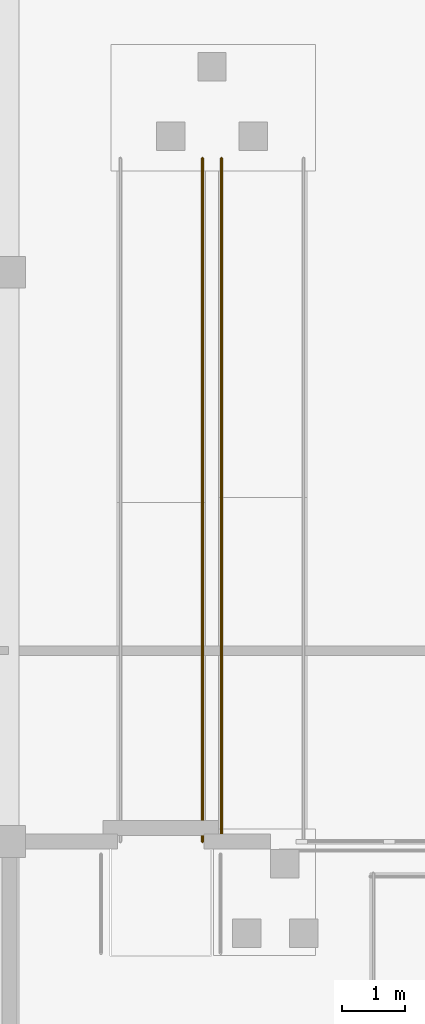
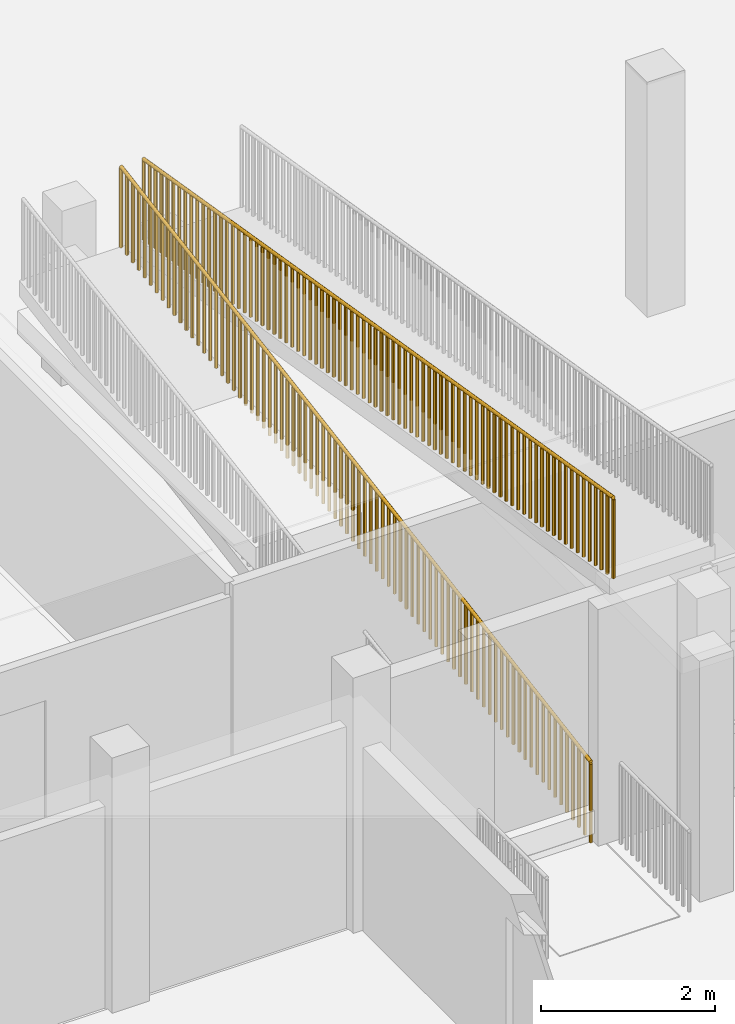
# One storey, part 89 of 104: 2 railings.
"""IFC4 building model written with IfcOpenShell, lengths in metres."""

from ifc_helpers import new_model, si_unit, direction, frame, origin, origin_2d, place, context, subcontext, project, spatial, circle, extrude, material, type_object, element, save


model = new_model("IFC4")

# Units and contexts
model_context = context("Model", 3, precision=1e-05, world=origin(), true_north=direction((0.0, 1.0)))
body_context = subcontext(model_context, "Body", "Model", "MODEL_VIEW")
ifc_project = project(units=[si_unit("LENGTHUNIT", "METRE"), si_unit("AREAUNIT", "SQUARE_METRE"), si_unit("VOLUMEUNIT", "CUBIC_METRE"), si_unit("PLANEANGLEUNIT", "RADIAN"), si_unit("MASSUNIT", "GRAM", prefix="KILO")], contexts=[model_context])

# Site, building, storey
site_placement = place(None, origin())
site = spatial("IfcSite", under=ifc_project, at=site_placement, CompositionType="ELEMENT")
building_placement = place(site_placement, origin())
building = spatial("IfcBuilding", under=site, at=building_placement, Name="Vanh Quang Courtyard School", CompositionType="ELEMENT")
storey_placement = place(building_placement, frame((0.0, 0.0, 4.199951171875)))
storey = spatial("IfcBuildingStorey", under=building, at=storey_placement, Name="L01", CompositionType="ELEMENT", Elevation=4.199951171875)

# Railings
ifc_material = material(Name="Galvanised painted steel EN 10025-2 S355J2", Category="steel")
railing_type = type_object("IfcRailingType", Name="RAIL-GUARD-1150", PredefinedType="BALUSTRADE", material=ifc_material)
railing_1_placement = place(storey_placement, frame((122.449951171875, 41.39990234375, 0.0)))
element("IfcRailing", 1, at=railing_1_placement, inside=storey, type_object=railing_type, Name="Railing GR-01 (L01)", PredefinedType="BALUSTRADE", context=body_context, shape_type="SweptSolid", body=[
    extrude(circle(Radius=0.02392578125, at=origin_2d()), frame((0.0, 0.0, 1.1259765625), z_axis=(0.0, 0.986393321179, 0.164402603184), x_axis=(-1.0, 0.0, 0.0)), (0.0, 0.0, 1.0), 10.948974609375),
    extrude(circle(Radius=0.02099609375, at=origin_2d()), origin(), (0.0, 0.0, 1.0), 1.101806640625),
    extrude(circle(Radius=0.02099609375, at=origin_2d()), frame((0.0, 0.13671875, 0.022705078125)), (0.0, 0.0, 1.0), 1.101806640625),
    extrude(circle(Radius=0.02099609375, at=origin_2d()), frame((0.0, 0.2734375, 0.045654296875)), (0.0, 0.0, 1.0), 1.101806640625),
    extrude(circle(Radius=0.02099609375, at=origin_2d()), frame((0.0, 0.41015625, 0.068359375)), (0.0, 0.0, 1.0), 1.101806640625),
    extrude(circle(Radius=0.02099609375, at=origin_2d()), frame((0.0, 0.546875, 0.091064453125)), (0.0, 0.0, 1.0), 1.101806640625),
    extrude(circle(Radius=0.02099609375, at=origin_2d()), frame((0.0, 0.68359375, 0.114013671875)), (0.0, 0.0, 1.0), 1.101806640625),
    extrude(circle(Radius=0.02099609375, at=origin_2d()), frame((0.0, 0.8203125, 0.13671875)), (0.0, 0.0, 1.0), 1.101806640625),
    extrude(circle(Radius=0.02099609375, at=origin_2d()), frame((0.0, 0.95703125, 0.159423828125)), (0.0, 0.0, 1.0), 1.101806640625),
    extrude(circle(Radius=0.02099609375, at=origin_2d()), frame((0.0, 1.09375, 0.182373046875)), (0.0, 0.0, 1.0), 1.101806640625),
    extrude(circle(Radius=0.02099609375, at=origin_2d()), frame((0.0, 1.23046875, 0.205078125)), (0.0, 0.0, 1.0), 1.101806640625),
    extrude(circle(Radius=0.02099609375, at=origin_2d()), frame((0.0, 1.3671875, 0.227783203125)), (0.0, 0.0, 1.0), 1.101806640625),
    extrude(circle(Radius=0.02099609375, at=origin_2d()), frame((0.0, 1.50390625, 0.250732421875)), (0.0, 0.0, 1.0), 1.101806640625),
    extrude(circle(Radius=0.02099609375, at=origin_2d()), frame((0.0, 1.640625, 0.2734375)), (0.0, 0.0, 1.0), 1.101806640625),
    extrude(circle(Radius=0.02099609375, at=origin_2d()), frame((0.0, 1.77734375, 0.296142578125)), (0.0, 0.0, 1.0), 1.101806640625),
    extrude(circle(Radius=0.02099609375, at=origin_2d()), frame((0.0, 1.913818359375, 0.319091796875)), (0.0, 0.0, 1.0), 1.101806640625),
    extrude(circle(Radius=0.02099609375, at=origin_2d()), frame((0.0, 2.050537109375, 0.341796875)), (0.0, 0.0, 1.0), 1.101806640625),
    extrude(circle(Radius=0.02099609375, at=origin_2d()), frame((0.0, 2.187255859375, 0.364501953125)), (0.0, 0.0, 1.0), 1.101806640625),
    extrude(circle(Radius=0.02099609375, at=origin_2d()), frame((0.0, 2.323974609375, 0.387451171875)), (0.0, 0.0, 1.0), 1.101806640625),
    extrude(circle(Radius=0.02099609375, at=origin_2d()), frame((0.0, 2.460693359375, 0.41015625)), (0.0, 0.0, 1.0), 1.101806640625),
    extrude(circle(Radius=0.02099609375, at=origin_2d()), frame((0.0, 2.597412109375, 0.432861328125)), (0.0, 0.0, 1.0), 1.101806640625),
    extrude(circle(Radius=0.02099609375, at=origin_2d()), frame((0.0, 2.734130859375, 0.455810546875)), (0.0, 0.0, 1.0), 1.101806640625),
    extrude(circle(Radius=0.02099609375, at=origin_2d()), frame((0.0, 2.870849609375, 0.478515625)), (0.0, 0.0, 1.0), 1.101806640625),
    extrude(circle(Radius=0.02099609375, at=origin_2d()), frame((0.0, 3.007568359375, 0.501220703125)), (0.0, 0.0, 1.0), 1.101806640625),
    extrude(circle(Radius=0.02099609375, at=origin_2d()), frame((0.0, 3.144287109375, 0.524169921875)), (0.0, 0.0, 1.0), 1.101806640625),
    extrude(circle(Radius=0.02099609375, at=origin_2d()), frame((0.0, 3.281005859375, 0.546875)), (0.0, 0.0, 1.0), 1.101806640625),
    extrude(circle(Radius=0.02099609375, at=origin_2d()), frame((0.0, 3.417724609375, 0.569580078125)), (0.0, 0.0, 1.0), 1.101806640625),
    extrude(circle(Radius=0.02099609375, at=origin_2d()), frame((0.0, 3.554443359375, 0.592529296875)), (0.0, 0.0, 1.0), 1.101806640625),
    extrude(circle(Radius=0.02099609375, at=origin_2d()), frame((0.0, 3.691162109375, 0.615234375)), (0.0, 0.0, 1.0), 1.101806640625),
    extrude(circle(Radius=0.02099609375, at=origin_2d()), frame((0.0, 3.827880859375, 0.637939453125)), (0.0, 0.0, 1.0), 1.101806640625),
    extrude(circle(Radius=0.02099609375, at=origin_2d()), frame((0.0, 3.964599609375, 0.660888671875)), (0.0, 0.0, 1.0), 1.101806640625),
    extrude(circle(Radius=0.02099609375, at=origin_2d()), frame((0.0, 4.101318359375, 0.68359375)), (0.0, 0.0, 1.0), 1.101806640625),
    extrude(circle(Radius=0.02099609375, at=origin_2d()), frame((0.0, 4.238037109375, 0.706298828125)), (0.0, 0.0, 1.0), 1.101806640625),
    extrude(circle(Radius=0.02099609375, at=origin_2d()), frame((0.0, 4.374755859375, 0.729248046875)), (0.0, 0.0, 1.0), 1.101806640625),
    extrude(circle(Radius=0.02099609375, at=origin_2d()), frame((0.0, 4.511474609375, 0.751953125)), (0.0, 0.0, 1.0), 1.101806640625),
    extrude(circle(Radius=0.02099609375, at=origin_2d()), frame((0.0, 4.648193359375, 0.774658203125)), (0.0, 0.0, 1.0), 1.101806640625),
    extrude(circle(Radius=0.02099609375, at=origin_2d()), frame((0.0, 4.784912109375, 0.797607421875)), (0.0, 0.0, 1.0), 1.101806640625),
    extrude(circle(Radius=0.02099609375, at=origin_2d()), frame((0.0, 4.921630859375, 0.8203125)), (0.0, 0.0, 1.0), 1.101806640625),
    extrude(circle(Radius=0.02099609375, at=origin_2d()), frame((0.0, 5.058349609375, 0.843017578125)), (0.0, 0.0, 1.0), 1.101806640625),
    extrude(circle(Radius=0.02099609375, at=origin_2d()), frame((0.0, 5.195068359375, 0.865966796875)), (0.0, 0.0, 1.0), 1.101806640625),
    extrude(circle(Radius=0.02099609375, at=origin_2d()), frame((0.0, 5.331787109375, 0.888671875)), (0.0, 0.0, 1.0), 1.101806640625),
    extrude(circle(Radius=0.02099609375, at=origin_2d()), frame((0.0, 5.46826171875, 0.911376953125)), (0.0, 0.0, 1.0), 1.101806640625),
    extrude(circle(Radius=0.02099609375, at=origin_2d()), frame((0.0, 5.60498046875, 0.93408203125)), (0.0, 0.0, 1.0), 1.101806640625),
    extrude(circle(Radius=0.02099609375, at=origin_2d()), frame((0.0, 5.74169921875, 0.95703125)), (0.0, 0.0, 1.0), 1.101806640625),
    extrude(circle(Radius=0.02099609375, at=origin_2d()), frame((0.0, 5.87841796875, 0.979736328125)), (0.0, 0.0, 1.0), 1.101806640625),
    extrude(circle(Radius=0.02099609375, at=origin_2d()), frame((0.0, 6.01513671875, 1.00244140625)), (0.0, 0.0, 1.0), 1.101806640625),
    extrude(circle(Radius=0.02099609375, at=origin_2d()), frame((0.0, 6.15185546875, 1.025390625)), (0.0, 0.0, 1.0), 1.101806640625),
    extrude(circle(Radius=0.02099609375, at=origin_2d()), frame((0.0, 6.28857421875, 1.048095703125)), (0.0, 0.0, 1.0), 1.101806640625),
    extrude(circle(Radius=0.02099609375, at=origin_2d()), frame((0.0, 6.42529296875, 1.07080078125)), (0.0, 0.0, 1.0), 1.101806640625),
    extrude(circle(Radius=0.02099609375, at=origin_2d()), frame((0.0, 6.56201171875, 1.09375)), (0.0, 0.0, 1.0), 1.101806640625),
    extrude(circle(Radius=0.02099609375, at=origin_2d()), frame((0.0, 6.69873046875, 1.116455078125)), (0.0, 0.0, 1.0), 1.101806640625),
    extrude(circle(Radius=0.02099609375, at=origin_2d()), frame((0.0, 6.83544921875, 1.13916015625)), (0.0, 0.0, 1.0), 1.101806640625),
    extrude(circle(Radius=0.02099609375, at=origin_2d()), frame((0.0, 6.97216796875, 1.162109375)), (0.0, 0.0, 1.0), 1.101806640625),
    extrude(circle(Radius=0.02099609375, at=origin_2d()), frame((0.0, 7.10888671875, 1.184814453125)), (0.0, 0.0, 1.0), 1.101806640625),
    extrude(circle(Radius=0.02099609375, at=origin_2d()), frame((0.0, 7.24560546875, 1.20751953125)), (0.0, 0.0, 1.0), 1.101806640625),
    extrude(circle(Radius=0.02099609375, at=origin_2d()), frame((0.0, 7.38232421875, 1.23046875)), (0.0, 0.0, 1.0), 1.101806640625),
    extrude(circle(Radius=0.02099609375, at=origin_2d()), frame((0.0, 7.51904296875, 1.253173828125)), (0.0, 0.0, 1.0), 1.101806640625),
    extrude(circle(Radius=0.02099609375, at=origin_2d()), frame((0.0, 7.65576171875, 1.27587890625)), (0.0, 0.0, 1.0), 1.101806640625),
    extrude(circle(Radius=0.02099609375, at=origin_2d()), frame((0.0, 7.79248046875, 1.298828125)), (0.0, 0.0, 1.0), 1.101806640625),
    extrude(circle(Radius=0.02099609375, at=origin_2d()), frame((0.0, 7.92919921875, 1.321533203125)), (0.0, 0.0, 1.0), 1.101806640625),
    extrude(circle(Radius=0.02099609375, at=origin_2d()), frame((0.0, 8.06591796875, 1.34423828125)), (0.0, 0.0, 1.0), 1.101806640625),
    extrude(circle(Radius=0.02099609375, at=origin_2d()), frame((0.0, 8.20263671875, 1.3671875)), (0.0, 0.0, 1.0), 1.101806640625),
    extrude(circle(Radius=0.02099609375, at=origin_2d()), frame((0.0, 8.33935546875, 1.389892578125)), (0.0, 0.0, 1.0), 1.101806640625),
    extrude(circle(Radius=0.02099609375, at=origin_2d()), frame((0.0, 8.47607421875, 1.41259765625)), (0.0, 0.0, 1.0), 1.101806640625),
    extrude(circle(Radius=0.02099609375, at=origin_2d()), frame((0.0, 8.61279296875, 1.435546875)), (0.0, 0.0, 1.0), 1.101806640625),
    extrude(circle(Radius=0.02099609375, at=origin_2d()), frame((0.0, 8.74951171875, 1.458251953125)), (0.0, 0.0, 1.0), 1.101806640625),
    extrude(circle(Radius=0.02099609375, at=origin_2d()), frame((0.0, 8.88623046875, 1.48095703125)), (0.0, 0.0, 1.0), 1.101806640625),
    extrude(circle(Radius=0.02099609375, at=origin_2d()), frame((0.0, 9.022705078125, 1.50390625)), (0.0, 0.0, 1.0), 1.101806640625),
    extrude(circle(Radius=0.02099609375, at=origin_2d()), frame((0.0, 9.159423828125, 1.526611328125)), (0.0, 0.0, 1.0), 1.101806640625),
    extrude(circle(Radius=0.02099609375, at=origin_2d()), frame((0.0, 9.296142578125, 1.54931640625)), (0.0, 0.0, 1.0), 1.101806640625),
    extrude(circle(Radius=0.02099609375, at=origin_2d()), frame((0.0, 9.432861328125, 1.572265625)), (0.0, 0.0, 1.0), 1.101806640625),
    extrude(circle(Radius=0.02099609375, at=origin_2d()), frame((0.0, 9.569580078125, 1.594970703125)), (0.0, 0.0, 1.0), 1.101806640625),
    extrude(circle(Radius=0.02099609375, at=origin_2d()), frame((0.0, 9.706298828125, 1.61767578125)), (0.0, 0.0, 1.0), 1.101806640625),
    extrude(circle(Radius=0.02099609375, at=origin_2d()), frame((0.0, 9.843017578125, 1.640625)), (0.0, 0.0, 1.0), 1.101806640625),
    extrude(circle(Radius=0.02099609375, at=origin_2d()), frame((0.0, 9.979736328125, 1.663330078125)), (0.0, 0.0, 1.0), 1.101806640625),
    extrude(circle(Radius=0.02099609375, at=origin_2d()), frame((0.0, 10.116455078125, 1.68603515625)), (0.0, 0.0, 1.0), 1.101806640625),
    extrude(circle(Radius=0.02099609375, at=origin_2d()), frame((0.0, 10.253173828125, 1.708984375)), (0.0, 0.0, 1.0), 1.101806640625),
    extrude(circle(Radius=0.02099609375, at=origin_2d()), frame((0.0, 10.389892578125, 1.731689453125)), (0.0, 0.0, 1.0), 1.101806640625),
    extrude(circle(Radius=0.02099609375, at=origin_2d()), frame((0.0, 10.526611328125, 1.75439453125)), (0.0, 0.0, 1.0), 1.101806640625),
    extrude(circle(Radius=0.02099609375, at=origin_2d()), frame((0.0, 10.663330078125, 1.77734375)), (0.0, 0.0, 1.0), 1.101806640625),
    extrude(circle(Radius=0.02099609375, at=origin_2d()), frame((0.0, 10.800048828125, 1.800048828125)), (0.0, 0.0, 1.0), 1.101806640625),
])
railing_2_placement = place(storey_placement, frame((122.75, 52.199951171875, 1.800048828125)))
element("IfcRailing", 2, at=railing_2_placement, inside=storey, type_object=railing_type, Name="Railing GR-01 (L01)", PredefinedType="BALUSTRADE", context=body_context, shape_type="SweptSolid", body=[
    extrude(circle(Radius=0.02392578125, at=origin_2d()), frame((0.0, 0.0, 1.1259765625), z_axis=(0.0, -0.986393321179, 0.164402603184), x_axis=(1.0, 0.0, 0.0)), (0.0, 0.0, 1.0), 10.948974609375),
    extrude(circle(Radius=0.02099609375, at=origin_2d()), origin(), (0.0, 0.0, 1.0), 1.101806640625),
    extrude(circle(Radius=0.02099609375, at=origin_2d()), frame((0.0, -0.13671875, 0.022705078125)), (0.0, 0.0, 1.0), 1.101806640625),
    extrude(circle(Radius=0.02099609375, at=origin_2d()), frame((0.0, -0.2734375, 0.045654296875)), (0.0, 0.0, 1.0), 1.101806640625),
    extrude(circle(Radius=0.02099609375, at=origin_2d()), frame((0.0, -0.41015625, 0.068359375)), (0.0, 0.0, 1.0), 1.101806640625),
    extrude(circle(Radius=0.02099609375, at=origin_2d()), frame((0.0, -0.546875, 0.091064453125)), (0.0, 0.0, 1.0), 1.101806640625),
    extrude(circle(Radius=0.02099609375, at=origin_2d()), frame((0.0, -0.68359375, 0.114013671875)), (0.0, 0.0, 1.0), 1.101806640625),
    extrude(circle(Radius=0.02099609375, at=origin_2d()), frame((0.0, -0.8203125, 0.13671875)), (0.0, 0.0, 1.0), 1.101806640625),
    extrude(circle(Radius=0.02099609375, at=origin_2d()), frame((0.0, -0.95703125, 0.159423828125)), (0.0, 0.0, 1.0), 1.101806640625),
    extrude(circle(Radius=0.02099609375, at=origin_2d()), frame((0.0, -1.09375, 0.182373046875)), (0.0, 0.0, 1.0), 1.101806640625),
    extrude(circle(Radius=0.02099609375, at=origin_2d()), frame((0.0, -1.23046875, 0.205078125)), (0.0, 0.0, 1.0), 1.101806640625),
    extrude(circle(Radius=0.02099609375, at=origin_2d()), frame((0.0, -1.3671875, 0.227783203125)), (0.0, 0.0, 1.0), 1.101806640625),
    extrude(circle(Radius=0.02099609375, at=origin_2d()), frame((0.0, -1.50390625, 0.250732421875)), (0.0, 0.0, 1.0), 1.101806640625),
    extrude(circle(Radius=0.02099609375, at=origin_2d()), frame((0.0, -1.640625, 0.2734375)), (0.0, 0.0, 1.0), 1.101806640625),
    extrude(circle(Radius=0.02099609375, at=origin_2d()), frame((0.0, -1.77734375, 0.296142578125)), (0.0, 0.0, 1.0), 1.101806640625),
    extrude(circle(Radius=0.02099609375, at=origin_2d()), frame((0.0, -1.913818359375, 0.319091796875)), (0.0, 0.0, 1.0), 1.101806640625),
    extrude(circle(Radius=0.02099609375, at=origin_2d()), frame((0.0, -2.050537109375, 0.341796875)), (0.0, 0.0, 1.0), 1.101806640625),
    extrude(circle(Radius=0.02099609375, at=origin_2d()), frame((0.0, -2.187255859375, 0.364501953125)), (0.0, 0.0, 1.0), 1.101806640625),
    extrude(circle(Radius=0.02099609375, at=origin_2d()), frame((0.0, -2.323974609375, 0.387451171875)), (0.0, 0.0, 1.0), 1.101806640625),
    extrude(circle(Radius=0.02099609375, at=origin_2d()), frame((0.0, -2.460693359375, 0.41015625)), (0.0, 0.0, 1.0), 1.101806640625),
    extrude(circle(Radius=0.02099609375, at=origin_2d()), frame((0.0, -2.597412109375, 0.432861328125)), (0.0, 0.0, 1.0), 1.101806640625),
    extrude(circle(Radius=0.02099609375, at=origin_2d()), frame((0.0, -2.734130859375, 0.455810546875)), (0.0, 0.0, 1.0), 1.101806640625),
    extrude(circle(Radius=0.02099609375, at=origin_2d()), frame((0.0, -2.870849609375, 0.478515625)), (0.0, 0.0, 1.0), 1.101806640625),
    extrude(circle(Radius=0.02099609375, at=origin_2d()), frame((0.0, -3.007568359375, 0.501220703125)), (0.0, 0.0, 1.0), 1.101806640625),
    extrude(circle(Radius=0.02099609375, at=origin_2d()), frame((0.0, -3.144287109375, 0.524169921875)), (0.0, 0.0, 1.0), 1.101806640625),
    extrude(circle(Radius=0.02099609375, at=origin_2d()), frame((0.0, -3.281005859375, 0.546875)), (0.0, 0.0, 1.0), 1.101806640625),
    extrude(circle(Radius=0.02099609375, at=origin_2d()), frame((0.0, -3.417724609375, 0.569580078125)), (0.0, 0.0, 1.0), 1.101806640625),
    extrude(circle(Radius=0.02099609375, at=origin_2d()), frame((0.0, -3.554443359375, 0.592529296875)), (0.0, 0.0, 1.0), 1.101806640625),
    extrude(circle(Radius=0.02099609375, at=origin_2d()), frame((0.0, -3.691162109375, 0.615234375)), (0.0, 0.0, 1.0), 1.101806640625),
    extrude(circle(Radius=0.02099609375, at=origin_2d()), frame((0.0, -3.827880859375, 0.637939453125)), (0.0, 0.0, 1.0), 1.101806640625),
    extrude(circle(Radius=0.02099609375, at=origin_2d()), frame((0.0, -3.964599609375, 0.660888671875)), (0.0, 0.0, 1.0), 1.101806640625),
    extrude(circle(Radius=0.02099609375, at=origin_2d()), frame((0.0, -4.101318359375, 0.68359375)), (0.0, 0.0, 1.0), 1.101806640625),
    extrude(circle(Radius=0.02099609375, at=origin_2d()), frame((0.0, -4.238037109375, 0.706298828125)), (0.0, 0.0, 1.0), 1.101806640625),
    extrude(circle(Radius=0.02099609375, at=origin_2d()), frame((0.0, -4.374755859375, 0.729248046875)), (0.0, 0.0, 1.0), 1.101806640625),
    extrude(circle(Radius=0.02099609375, at=origin_2d()), frame((0.0, -4.511474609375, 0.751953125)), (0.0, 0.0, 1.0), 1.101806640625),
    extrude(circle(Radius=0.02099609375, at=origin_2d()), frame((0.0, -4.648193359375, 0.774658203125)), (0.0, 0.0, 1.0), 1.101806640625),
    extrude(circle(Radius=0.02099609375, at=origin_2d()), frame((0.0, -4.784912109375, 0.797607421875)), (0.0, 0.0, 1.0), 1.101806640625),
    extrude(circle(Radius=0.02099609375, at=origin_2d()), frame((0.0, -4.921630859375, 0.8203125)), (0.0, 0.0, 1.0), 1.101806640625),
    extrude(circle(Radius=0.02099609375, at=origin_2d()), frame((0.0, -5.058349609375, 0.843017578125)), (0.0, 0.0, 1.0), 1.101806640625),
    extrude(circle(Radius=0.02099609375, at=origin_2d()), frame((0.0, -5.195068359375, 0.865966796875)), (0.0, 0.0, 1.0), 1.101806640625),
    extrude(circle(Radius=0.02099609375, at=origin_2d()), frame((0.0, -5.331787109375, 0.888671875)), (0.0, 0.0, 1.0), 1.101806640625),
    extrude(circle(Radius=0.02099609375, at=origin_2d()), frame((0.0, -5.46826171875, 0.911376953125)), (0.0, 0.0, 1.0), 1.101806640625),
    extrude(circle(Radius=0.02099609375, at=origin_2d()), frame((0.0, -5.60498046875, 0.93408203125)), (0.0, 0.0, 1.0), 1.101806640625),
    extrude(circle(Radius=0.02099609375, at=origin_2d()), frame((0.0, -5.74169921875, 0.95703125)), (0.0, 0.0, 1.0), 1.101806640625),
    extrude(circle(Radius=0.02099609375, at=origin_2d()), frame((0.0, -5.87841796875, 0.979736328125)), (0.0, 0.0, 1.0), 1.101806640625),
    extrude(circle(Radius=0.02099609375, at=origin_2d()), frame((0.0, -6.01513671875, 1.00244140625)), (0.0, 0.0, 1.0), 1.101806640625),
    extrude(circle(Radius=0.02099609375, at=origin_2d()), frame((0.0, -6.15185546875, 1.025390625)), (0.0, 0.0, 1.0), 1.101806640625),
    extrude(circle(Radius=0.02099609375, at=origin_2d()), frame((0.0, -6.28857421875, 1.048095703125)), (0.0, 0.0, 1.0), 1.101806640625),
    extrude(circle(Radius=0.02099609375, at=origin_2d()), frame((0.0, -6.42529296875, 1.07080078125)), (0.0, 0.0, 1.0), 1.101806640625),
    extrude(circle(Radius=0.02099609375, at=origin_2d()), frame((0.0, -6.56201171875, 1.09375)), (0.0, 0.0, 1.0), 1.101806640625),
    extrude(circle(Radius=0.02099609375, at=origin_2d()), frame((0.0, -6.69873046875, 1.116455078125)), (0.0, 0.0, 1.0), 1.101806640625),
    extrude(circle(Radius=0.02099609375, at=origin_2d()), frame((0.0, -6.83544921875, 1.13916015625)), (0.0, 0.0, 1.0), 1.101806640625),
    extrude(circle(Radius=0.02099609375, at=origin_2d()), frame((0.0, -6.97216796875, 1.162109375)), (0.0, 0.0, 1.0), 1.101806640625),
    extrude(circle(Radius=0.02099609375, at=origin_2d()), frame((0.0, -7.10888671875, 1.184814453125)), (0.0, 0.0, 1.0), 1.101806640625),
    extrude(circle(Radius=0.02099609375, at=origin_2d()), frame((0.0, -7.24560546875, 1.20751953125)), (0.0, 0.0, 1.0), 1.101806640625),
    extrude(circle(Radius=0.02099609375, at=origin_2d()), frame((0.0, -7.38232421875, 1.23046875)), (0.0, 0.0, 1.0), 1.101806640625),
    extrude(circle(Radius=0.02099609375, at=origin_2d()), frame((0.0, -7.51904296875, 1.253173828125)), (0.0, 0.0, 1.0), 1.101806640625),
    extrude(circle(Radius=0.02099609375, at=origin_2d()), frame((0.0, -7.65576171875, 1.27587890625)), (0.0, 0.0, 1.0), 1.101806640625),
    extrude(circle(Radius=0.02099609375, at=origin_2d()), frame((0.0, -7.79248046875, 1.298828125)), (0.0, 0.0, 1.0), 1.101806640625),
    extrude(circle(Radius=0.02099609375, at=origin_2d()), frame((0.0, -7.92919921875, 1.321533203125)), (0.0, 0.0, 1.0), 1.101806640625),
    extrude(circle(Radius=0.02099609375, at=origin_2d()), frame((0.0, -8.06591796875, 1.34423828125)), (0.0, 0.0, 1.0), 1.101806640625),
    extrude(circle(Radius=0.02099609375, at=origin_2d()), frame((0.0, -8.20263671875, 1.3671875)), (0.0, 0.0, 1.0), 1.101806640625),
    extrude(circle(Radius=0.02099609375, at=origin_2d()), frame((0.0, -8.33935546875, 1.389892578125)), (0.0, 0.0, 1.0), 1.101806640625),
    extrude(circle(Radius=0.02099609375, at=origin_2d()), frame((0.0, -8.47607421875, 1.41259765625)), (0.0, 0.0, 1.0), 1.101806640625),
    extrude(circle(Radius=0.02099609375, at=origin_2d()), frame((0.0, -8.61279296875, 1.435546875)), (0.0, 0.0, 1.0), 1.101806640625),
    extrude(circle(Radius=0.02099609375, at=origin_2d()), frame((0.0, -8.74951171875, 1.458251953125)), (0.0, 0.0, 1.0), 1.101806640625),
    extrude(circle(Radius=0.02099609375, at=origin_2d()), frame((0.0, -8.88623046875, 1.48095703125)), (0.0, 0.0, 1.0), 1.101806640625),
    extrude(circle(Radius=0.02099609375, at=origin_2d()), frame((0.0, -9.022705078125, 1.50390625)), (0.0, 0.0, 1.0), 1.101806640625),
    extrude(circle(Radius=0.02099609375, at=origin_2d()), frame((0.0, -9.159423828125, 1.526611328125)), (0.0, 0.0, 1.0), 1.101806640625),
    extrude(circle(Radius=0.02099609375, at=origin_2d()), frame((0.0, -9.296142578125, 1.54931640625)), (0.0, 0.0, 1.0), 1.101806640625),
    extrude(circle(Radius=0.02099609375, at=origin_2d()), frame((0.0, -9.432861328125, 1.572265625)), (0.0, 0.0, 1.0), 1.101806640625),
    extrude(circle(Radius=0.02099609375, at=origin_2d()), frame((0.0, -9.569580078125, 1.594970703125)), (0.0, 0.0, 1.0), 1.101806640625),
    extrude(circle(Radius=0.02099609375, at=origin_2d()), frame((0.0, -9.706298828125, 1.61767578125)), (0.0, 0.0, 1.0), 1.101806640625),
    extrude(circle(Radius=0.02099609375, at=origin_2d()), frame((0.0, -9.843017578125, 1.640625)), (0.0, 0.0, 1.0), 1.101806640625),
    extrude(circle(Radius=0.02099609375, at=origin_2d()), frame((0.0, -9.979736328125, 1.663330078125)), (0.0, 0.0, 1.0), 1.101806640625),
    extrude(circle(Radius=0.02099609375, at=origin_2d()), frame((0.0, -10.116455078125, 1.68603515625)), (0.0, 0.0, 1.0), 1.101806640625),
    extrude(circle(Radius=0.02099609375, at=origin_2d()), frame((0.0, -10.253173828125, 1.708984375)), (0.0, 0.0, 1.0), 1.101806640625),
    extrude(circle(Radius=0.02099609375, at=origin_2d()), frame((0.0, -10.389892578125, 1.731689453125)), (0.0, 0.0, 1.0), 1.101806640625),
    extrude(circle(Radius=0.02099609375, at=origin_2d()), frame((0.0, -10.526611328125, 1.75439453125)), (0.0, 0.0, 1.0), 1.101806640625),
    extrude(circle(Radius=0.02099609375, at=origin_2d()), frame((0.0, -10.663330078125, 1.77734375)), (0.0, 0.0, 1.0), 1.101806640625),
    extrude(circle(Radius=0.02099609375, at=origin_2d()), frame((0.0, -10.800048828125, 1.800048828125)), (0.0, 0.0, 1.0), 1.101806640625),
])

save(model, "model.ifc")
